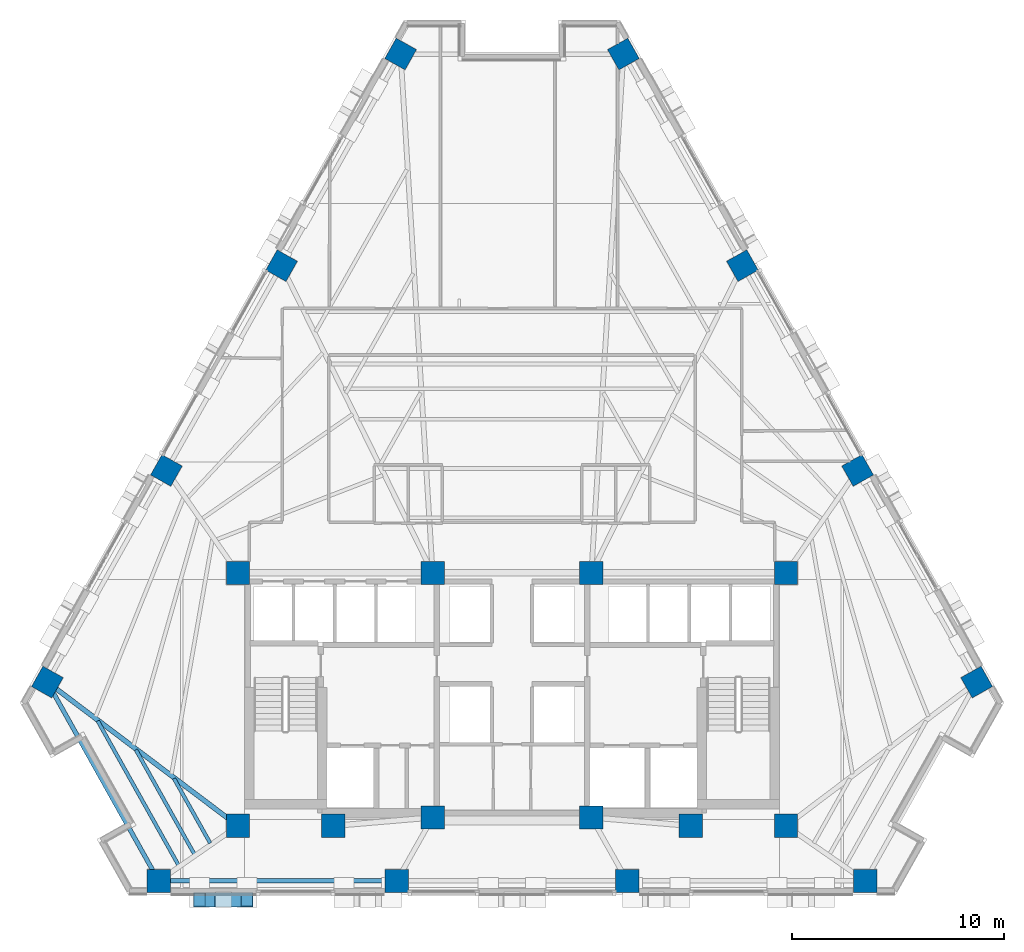
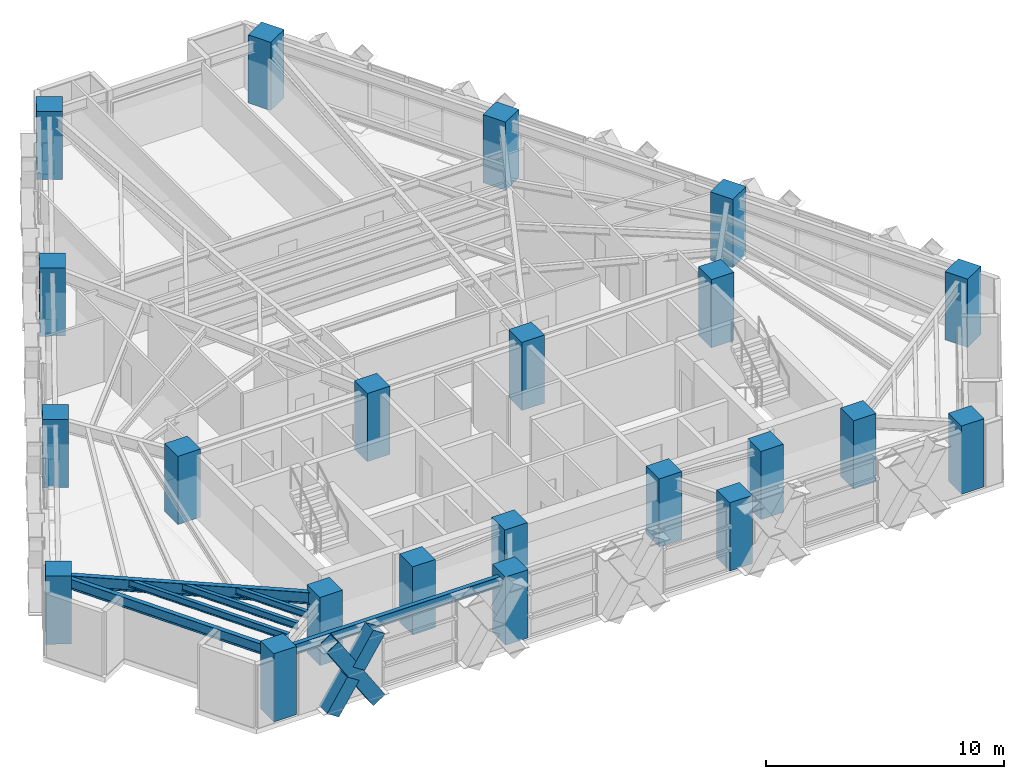
# One storey, part 1 of 14: 22 columns, 6 beams, 3 members.
"""IFC4 building model written with IfcOpenShell, lengths in metres."""

from ifc_helpers import new_model, si_unit, direction, frame, origin, origin_2d, place, context, subcontext, project, spatial, rectangle, hollow_rectangle, i_section, extrude, material, material_profile, profile_set, type_object, element, save


model = new_model("IFC4")

# Units and contexts
model_context = context("Model", 3, precision=1e-05, world=origin(), true_north=direction((0.0, 1.0)))
body_context = subcontext(model_context, "Body", "Model", "MODEL_VIEW")
ifc_project = project(units=[si_unit("LENGTHUNIT", "METRE"), si_unit("AREAUNIT", "SQUARE_METRE"), si_unit("VOLUMEUNIT", "CUBIC_METRE"), si_unit("PLANEANGLEUNIT", "RADIAN"), si_unit("MASSUNIT", "GRAM", prefix="KILO")], contexts=[model_context])

# Site, building, storey
site_placement = place(None, origin())
site = spatial("IfcSite", under=ifc_project, at=site_placement, CompositionType="ELEMENT")
building_placement = place(site_placement, origin())
building = spatial("IfcBuilding", under=site, at=building_placement, Name="Quenlor Broadcast Tower", CompositionType="ELEMENT")
storey_placement = place(building_placement, frame((0.0, 0.0, 80.10009765625)))
storey = spatial("IfcBuildingStorey", under=building, at=storey_placement, Name="L21", CompositionType="ELEMENT", Elevation=80.10009765625)

# Columns
ifc_material_1 = material(Name="Concrete C65/80", Category="concrete")
ifc_material_profile_1 = material_profile(ifc_material_1, rectangle(XDim=1.10009765625, YDim=1.10009765625, at=origin_2d()))
ifc_profile_set_1 = profile_set([ifc_material_profile_1], Name="Concrete C65/80 RC1100x1100")
column_type_1 = type_object("IfcColumnType", Name="Core Corner Column Mid Concrete C65/80 1100", PredefinedType="COLUMN", material=ifc_profile_set_1)
for number, where, z_axis, x_axis, name in (
    (1, (-12.949951171875, -16.75, 0.0), (0.0, 0.0, 1.0), (1.0, 0.0, 0.0), "L21 Core Column CC1"),
    (2, (-8.449951171875, -16.75, 0.0), (0.0, 0.0, 1.0), (1.0, 0.0, 0.0), "L21 Core Column CC2"),
    (3, (-3.75, -16.35009765625, 0.0), (0.0, 0.0, 1.0), (1.0, 0.0, 0.0), "L21 Core Column CC3"),
    (4, (3.75, -16.35009765625, 0.0), (0.0, 0.0, 1.0), (1.0, 0.0, 0.0), "L21 Core Column CC4"),
    (5, (8.449951171875, -16.75, 0.0), (0.0, 0.0, 1.0), (1.0, 0.0, 0.0), "L21 Core Column CC5"),
    (6, (12.949951171875, -16.75, 0.0), (0.0, 0.0, 1.0), (1.0, 0.0, 0.0), "L21 Core Column CC6"),
    (7, (-12.949951171875, -4.800048828125, 0.0), (0.0, 0.0, 1.0), (1.0, 0.0, 0.0), "L21 Core Column CC7"),
    (8, (-3.75, -4.800048828125, 0.0), (0.0, 0.0, 1.0), (1.0, 0.0, 0.0), "L21 Core Column CC8"),
    (9, (3.75, -4.800048828125, 0.0), (0.0, 0.0, 1.0), (1.0, 0.0, 0.0), "L21 Core Column CC9"),
    (10, (12.949951171875, -4.800048828125, 0.0), (0.0, 0.0, 1.0), (1.0, 0.0, 0.0), "L21 Core Column CC10"),
):
    element("IfcColumn", number, at=place(storey_placement, frame(where, z_axis=z_axis, x_axis=x_axis)), inside=storey, type_object=column_type_1, Name=name, PredefinedType="COLUMN", context=body_context, shape_type="SweptSolid", body=[
        extrude(rectangle(XDim=1.10009765625, YDim=1.10009765625, at=origin_2d()), origin(), (0.0, 0.0, 1.0), 3.5),
    ])
ifc_material_2 = material(Name="Concrete C65/80", Category="concrete")
ifc_material_profile_2 = material_profile(ifc_material_2, rectangle(XDim=1.10009765625, YDim=1.10009765625, at=origin_2d()))
ifc_profile_set_2 = profile_set([ifc_material_profile_2], Name="Concrete C65/80 RC1100x1100")
column_type_2 = type_object("IfcColumnType", Name="Tower Perimeter Column Z2 Concrete C65/80 1100", PredefinedType="COLUMN", material=ifc_profile_set_2)
for number, where, z_axis, x_axis, name in (
    (11, (-16.6923828125, -19.35009765625, 0.0), (0.0, 0.0, 1.0), (0.0, 1.0, 0.0), "L21 Perimeter Column S1"),
    (12, (-5.443115234375, -19.35009765625, 0.0), (0.0, 0.0, 1.0), (0.0, 1.0, 0.0), "L21 Perimeter Column S2"),
    (13, (5.443115234375, -19.35009765625, 0.0), (0.0, 0.0, 1.0), (0.0, 1.0, 0.0), "L21 Perimeter Column S3"),
    (14, (16.6923828125, -19.35009765625, 0.0), (0.0, 0.0, 1.0), (0.0, 1.0, 0.0), "L21 Perimeter Column S4"),
    (15, (21.95458984375, -9.95654296875, 0.0), (0.0, 0.0, 1.0), (0.871575139605, 0.490261946333, 0.0), "L21 Perimeter Column NE1"),
    (16, (16.330078125, 0.04296875, 0.0), (0.0, 0.0, 1.0), (0.871575139605, 0.490261946333, 0.0), "L21 Perimeter Column NE2"),
    (17, (10.886962890625, 9.7197265625, 0.0), (0.0, 0.0, 1.0), (0.871575139605, 0.490261946333, 0.0), "L21 Perimeter Column NE3"),
    (18, (5.26220703125, 19.718994140625, 0.0), (0.0, 0.0, 1.0), (0.871575139605, 0.490261946333, 0.0), "L21 Perimeter Column NE4"),
    (19, (-5.26220703125, 19.718994140625, 0.0), (0.0, 0.0, 1.0), (-0.871575139605, 0.490261946333, 0.0), "L21 Perimeter Column NW1"),
    (20, (-10.886962890625, 9.7197265625, 0.0), (0.0, 0.0, 1.0), (-0.871575139605, 0.490261946333, 0.0), "L21 Perimeter Column NW2"),
    (21, (-16.330078125, 0.04296875, 0.0), (0.0, 0.0, 1.0), (-0.871575139605, 0.490261946333, 0.0), "L21 Perimeter Column NW3"),
    (22, (-21.95458984375, -9.95654296875, 0.0), (0.0, 0.0, 1.0), (-0.871575139605, 0.490261946333, 0.0), "L21 Perimeter Column NW4"),
):
    element("IfcColumn", number, at=place(storey_placement, frame(where, z_axis=z_axis, x_axis=x_axis)), inside=storey, type_object=column_type_2, Name=name, PredefinedType="COLUMN", context=body_context, shape_type="SweptSolid", body=[
        extrude(rectangle(XDim=1.10009765625, YDim=1.10009765625, at=origin_2d()), origin(), (0.0, 0.0, 1.0), 3.5),
    ])

# Members
ifc_material_3 = material(Name="Steel S355", Category="steel")
ifc_material_profile_3 = material_profile(ifc_material_3, hollow_rectangle(XDim=0.679931640625, YDim=0.679931640625, WallThickness=0.030029296875, at=origin_2d()))
ifc_profile_set_3 = profile_set([ifc_material_profile_3], Name="Steel S355 RHS680x680x30")
member_type = type_object("IfcMemberType", Name="Perimeter Diagonal Lattice Brace Z2 Steel S355 RHS680x30", PredefinedType="BRACE", material=ifc_profile_set_3)
member_placement = place(storey_placement, frame((-12.5126953125, -20.235107421875, -0.1201171875), z_axis=(-0.539926440573, 0.0, 0.841712206618), x_axis=(0.0, -1.0, 0.0)))
element("IfcMember", 23, at=member_placement, inside=storey, type_object=member_type, Name="L21 Perimeter Diamond Lattice S-C5XA", PredefinedType="BRACE", context=body_context, shape_type="SweptSolid", body=[
    extrude(hollow_rectangle(XDim=0.679931640625, YDim=0.679931640625, WallThickness=0.030029296875, at=origin_2d()), origin(), (0.0, 0.0, 1.0), 4.158203125),
])
for number, where, z_axis, x_axis, name in (
    (24, (-14.7578125, -20.235107421875, -0.1201171875), (0.539920793993, 0.0, 0.841715828658), (0.0, 1.0, 0.0), "L21 Perimeter Diamond Lattice S-C5XB1"),
    (25, (-13.500244140625, -20.235107421875, 1.84033203125), (0.539920793993, 0.0, 0.841715828658), (0.0, 1.0, 0.0), "L21 Perimeter Diamond Lattice S-C5XB2"),
):
    element("IfcMember", number, at=place(storey_placement, frame(where, z_axis=z_axis, x_axis=x_axis)), inside=storey, type_object=member_type, Name=name, PredefinedType="BRACE", context=body_context, shape_type="SweptSolid", body=[
        extrude(hollow_rectangle(XDim=0.679931640625, YDim=0.679931640625, WallThickness=0.030029296875, at=origin_2d()), origin(), (0.0, 0.0, 1.0), 1.8291015625),
    ])

# Beams
ifc_material_4 = material(Name="Steel S355", Category="steel")
ifc_material_profile_4 = material_profile(ifc_material_4, i_section(OverallWidth=0.208984375, OverallDepth=0.5283203125, WebThickness=0.009521484375, FlangeThickness=0.01318359375, FilletRadius=0.013916015625, at=origin_2d()))
ifc_profile_set_4 = profile_set([ifc_material_profile_4], Name="Steel S355 530UB82.0")
beam_type_1 = type_object("IfcBeamType", Name="Perimeter Spandrel Beam Z2 Steel S355 530UB82.0", PredefinedType="SPANDREL", material=ifc_profile_set_4)
beam_1_placement = place(storey_placement, frame((-16.282470703125, -19.35009765625, 2.98583984375), z_axis=(1.0, 0.0, 0.0), x_axis=(0.0, 1.0, 0.0)))
element("IfcBeam", 26, at=beam_1_placement, inside=storey, type_object=beam_type_1, Name="L21 Spandrel Beam S1-S2", PredefinedType="SPANDREL", context=body_context, shape_type="SweptSolid", body=[
    extrude(i_section(OverallWidth=0.208984375, OverallDepth=0.5283203125, WebThickness=0.009521484375, FlangeThickness=0.01318359375, FilletRadius=0.013916015625, at=origin_2d()), origin(), (0.0, 0.0, 1.0), 10.42919921875),
])
beam_2_placement = place(storey_placement, frame((-21.75439453125, -10.314208984375, 2.98583984375), z_axis=(0.488749102779, -0.872424389006, 0.0), x_axis=(0.872424389006, 0.488749102779, 0.0)))
element("IfcBeam", 27, at=beam_2_placement, inside=storey, type_object=beam_type_1, Name="L21 Spandrel Beam NW4-S1", PredefinedType="SPANDREL", context=body_context, shape_type="SweptSolid", body=[
    extrude(i_section(OverallWidth=0.208984375, OverallDepth=0.5283203125, WebThickness=0.009521484375, FlangeThickness=0.01318359375, FilletRadius=0.013916015625, at=origin_2d()), origin(), (0.0, 0.0, 1.0), 9.947021484375),
])
ifc_material_5 = material(Name="Steel S355", Category="steel")
ifc_material_profile_5 = material_profile(ifc_material_5, i_section(OverallWidth=0.172119140625, OverallDepth=0.358642578125, WebThickness=0.008056640625, FlangeThickness=0.012939453125, FilletRadius=0.011474609375, at=origin_2d()))
ifc_profile_set_5 = profile_set([ifc_material_profile_5], Name="Steel S355 360UB56.7")
beam_type_2 = type_object("IfcBeamType", Name="Tower Composite Joist Z2-Z3 Steel S355 360UB56.7", PredefinedType="JOIST", material=ifc_profile_set_5)
beam_3_placement = place(storey_placement, frame((-14.261474609375, -17.564208984375, 3.070556640625), z_axis=(-0.488730779643, 0.87243465373, 0.0), x_axis=(-0.87243465373, -0.488730779643, 0.0)))
element("IfcBeam", 28, at=beam_3_placement, inside=storey, type_object=beam_type_2, Name="L21 Secondary Composite Joist 19", PredefinedType="JOIST", context=body_context, shape_type="SweptSolid", body=[
    extrude(i_section(OverallWidth=0.172119140625, OverallDepth=0.358642578125, WebThickness=0.008056640625, FlangeThickness=0.012939453125, FilletRadius=0.011474609375, at=origin_2d()), origin(), (0.0, 0.0, 1.0), 3.500732421875),
])
beam_4_placement = place(storey_placement, frame((-15.010009765625, -18.084228515625, 3.070556640625), z_axis=(-0.488741419435, 0.87242869332, 0.0), x_axis=(-0.87242869332, -0.488741419435, 0.0)))
element("IfcBeam", 29, at=beam_4_placement, inside=storey, type_object=beam_type_2, Name="L21 Secondary Composite Joist 20", PredefinedType="JOIST", context=body_context, shape_type="SweptSolid", body=[
    extrude(i_section(OverallWidth=0.172119140625, OverallDepth=0.358642578125, WebThickness=0.008056640625, FlangeThickness=0.012939453125, FilletRadius=0.011474609375, at=origin_2d()), origin(), (0.0, 0.0, 1.0), 5.654052734375),
])
beam_5_placement = place(storey_placement, frame((-15.758544921875, -18.604248046875, 3.070556640625), z_axis=(-0.488732857155, 0.872433489922, 0.0), x_axis=(-0.872433489922, -0.488732857155, 0.0)))
element("IfcBeam", 30, at=beam_5_placement, inside=storey, type_object=beam_type_2, Name="L21 Secondary Composite Joist 21", PredefinedType="JOIST", context=body_context, shape_type="SweptSolid", body=[
    extrude(i_section(OverallWidth=0.172119140625, OverallDepth=0.358642578125, WebThickness=0.008056640625, FlangeThickness=0.012939453125, FilletRadius=0.011474609375, at=origin_2d()), origin(), (0.0, 0.0, 1.0), 7.807861328125),
])
ifc_material_6 = material(Name="Steel S355", Category="steel")
ifc_material_profile_6 = material_profile(ifc_material_6, i_section(OverallWidth=0.22802734375, OverallDepth=0.60205078125, WebThickness=0.010498046875, FlangeThickness=0.014892578125, FilletRadius=0.013916015625, at=origin_2d()))
ifc_profile_set_6 = profile_set([ifc_material_profile_6], Name="Steel S355 610UB101")
beam_type_3 = type_object("IfcBeamType", Name="Tower Primary Floor Beam Z2 Steel S355 610UB101", PredefinedType="BEAM", material=ifc_profile_set_6)
beam_6_placement = place(storey_placement, frame((-21.62744140625, -10.203369140625, 2.948974609375), z_axis=(0.798298724007, -0.602261693327, 0.0), x_axis=(0.602261693327, 0.798298724007, 0.0)))
element("IfcBeam", 31, at=beam_6_placement, inside=storey, type_object=beam_type_3, Name="L21 Primary Radial Beam NW4", PredefinedType="BEAM", context=body_context, shape_type="SweptSolid", body=[
    extrude(i_section(OverallWidth=0.22802734375, OverallDepth=0.60205078125, WebThickness=0.010498046875, FlangeThickness=0.014892578125, FilletRadius=0.013916015625, at=origin_2d()), origin(), (0.0, 0.0, 1.0), 10.48974609375),
])

save(model, "model.ifc")
